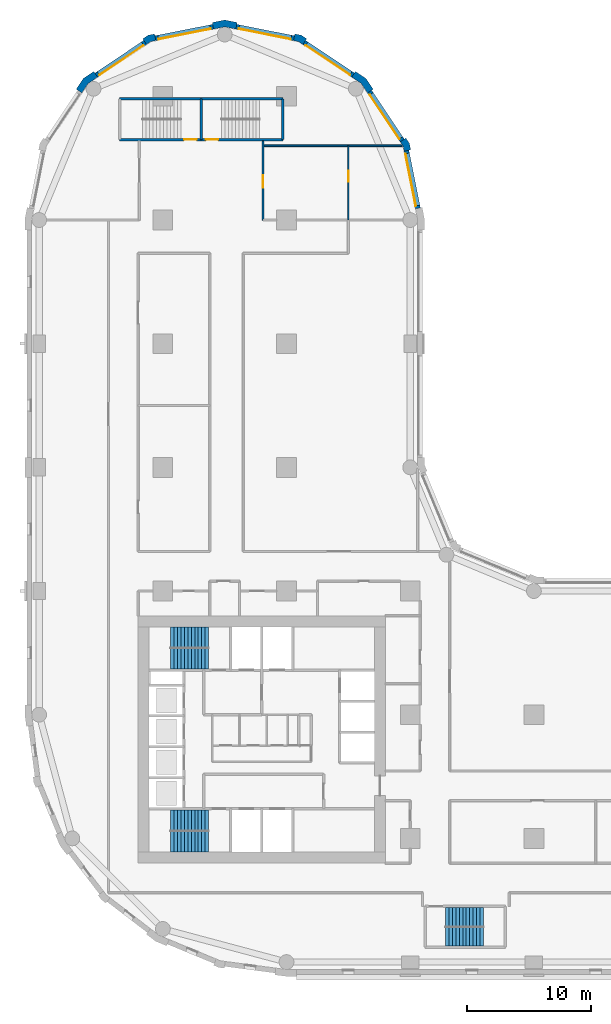
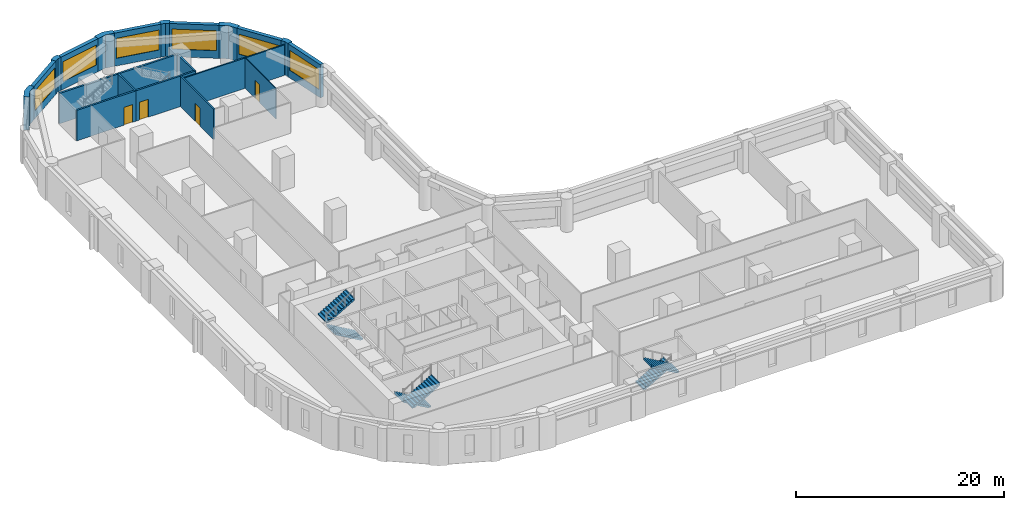
# One storey, part 7 of 10: 21 walls, 6 stair flights, 6 windows, 4 doors, 10 openings, 3 elements without a shape of their own.
"""IFC4 building model written with IfcOpenShell, lengths in metres."""

from ifc_helpers import new_model, si_unit, direction, frame, frame_2d, origin, place, context, subcontext, project, spatial, polyline, rectangle, outline, extrude, material, layer, layer_set, type_object, element, fill, aggregate, save


model = new_model("IFC4")

# Units and contexts
model_context = context("Model", 3, precision=1e-05, world=origin(), true_north=direction((0.0, 1.0)))
body_context = subcontext(model_context, "Body", "Model", "MODEL_VIEW")
ifc_project = project(units=[si_unit("LENGTHUNIT", "METRE"), si_unit("AREAUNIT", "SQUARE_METRE"), si_unit("VOLUMEUNIT", "CUBIC_METRE"), si_unit("PLANEANGLEUNIT", "RADIAN"), si_unit("MASSUNIT", "GRAM", prefix="KILO")], contexts=[model_context])

# Site, building, storey
site_placement = place(None, origin())
site = spatial("IfcSite", under=ifc_project, at=site_placement, CompositionType="ELEMENT")
building_placement = place(site_placement, origin())
building = spatial("IfcBuilding", under=site, at=building_placement, Name="Qaws Garden Tower", CompositionType="ELEMENT")
storey_placement = place(building_placement, frame((0.0, 0.0, 39.300048828125)))
storey = spatial("IfcBuildingStorey", under=building, at=storey_placement, Name="L09", CompositionType="ELEMENT", Elevation=39.300048828125)

# Wall, opening, window
ifc_material_1 = material(Name="Clay facing brick masonry", Category="masonry")
ifc_layer_1 = layer(ifc_material_1, 0.39990234375)
ifc_layer_set_1 = layer_set([ifc_layer_1], Name="Clay facing brick masonry")
wall_type_1 = type_object("IfcWallType", Name="Brick infill wall 400", PredefinedType="SOLIDWALL", material=ifc_layer_set_1)
wall_1_placement = place(storey_placement, frame((30.628662109375, 60.940673828125, 0.0), z_axis=(0.0, 0.0, 1.0), x_axis=(-0.195098533057, 0.98078364709, 0.0)))
wall_1 = element("IfcWall", 1, at=wall_1_placement, inside=storey, type_object=wall_type_1, Name="E-L09-infill-15", PredefinedType="SOLIDWALL", context=body_context, shape_type="SweptSolid", body=[
    extrude(rectangle(XDim=4.752685546875, YDim=0.39990234375, at=frame_2d((2.37646484375, 0.0))), origin(), (0.0, 0.0, 1.0), 3.89990234375),
])
opening_1_placement = place(wall_1_placement, frame((0.226318359375, 0.0, 0.89990234375)))
opening_1 = element("IfcOpeningElement", 2, at=opening_1_placement, cuts=wall_1, Name="Opening W06", PredefinedType="OPENING", context=body_context, shape_type="SweptSolid", body=[
    extrude(rectangle(XDim=4.300048828125, YDim=2.35009765625, at=frame_2d((2.14990234375, 1.175048828125))), frame((0.0, 0.2099609375, 0.0), z_axis=(0.0, -1.0, 0.0), x_axis=(1.0, 0.0, 0.0)), (0.0, 0.0, 1.0), 0.419921875),
])
ifc_material_2 = material(Name="Aluminium framed window, clear glazing", Category="aluminium")
window_type = type_object("IfcWindowType", Name="Ribbon window 4300 x 2350", PartitioningType="DOUBLE_PANEL_VERTICAL", PredefinedType="WINDOW", material=ifc_material_2)
window_1_placement = place(opening_1_placement, origin())
window_1 = element("IfcWindow", 3, at=window_1_placement, inside=storey, type_object=window_type, Name="E-L09-window-15-0", OverallHeight=2.35009765625, OverallWidth=4.300048828125, PartitioningType="SINGLE_PANEL", PredefinedType="WINDOW", context=body_context, shape_type="SweptSolid", body=[
    extrude(rectangle(XDim=4.300048828125, YDim=2.35009765625, at=frame_2d((2.14990234375, 1.175048828125))), frame((0.0, 0.159912109375, 0.0), z_axis=(0.0, -1.0, 0.0), x_axis=(1.0, 0.0, 0.0)), (0.0, 0.0, 1.0), 0.06005859375),
])
fill(opening_1, window_1)

wall_2_placement = place(storey_placement, frame((29.356689453125, 66.43408203125, 0.0), z_axis=(0.0, 0.0, 1.0), x_axis=(-0.555541552266, 0.831488775454, 0.0)))
wall_2 = element("IfcWall", 4, at=wall_2_placement, inside=storey, type_object=wall_type_1, Name="E-L09-infill-16", PredefinedType="SOLIDWALL", context=body_context, shape_type="SweptSolid", body=[
    extrude(rectangle(XDim=4.752685546875, YDim=0.39990234375, at=frame_2d((2.37646484375, 0.0))), origin(), (0.0, 0.0, 1.0), 3.89990234375),
])
opening_2_placement = place(wall_2_placement, frame((0.226318359375, 0.0, 0.89990234375)))
opening_2 = element("IfcOpeningElement", 5, at=opening_2_placement, cuts=wall_2, Name="Opening W06", PredefinedType="OPENING", context=body_context, shape_type="SweptSolid", body=[
    extrude(rectangle(XDim=4.300048828125, YDim=2.35009765625, at=frame_2d((2.14990234375, 1.175048828125))), frame((0.0, 0.2099609375, 0.0), z_axis=(0.0, -1.0, 0.0), x_axis=(1.0, 0.0, 0.0)), (0.0, 0.0, 1.0), 0.419921875),
])
window_2_placement = place(opening_2_placement, origin())
window_2 = element("IfcWindow", 6, at=window_2_placement, inside=storey, type_object=window_type, Name="E-L09-window-16-0", OverallHeight=2.35009765625, OverallWidth=4.300048828125, PartitioningType="SINGLE_PANEL", PredefinedType="WINDOW", context=body_context, shape_type="SweptSolid", body=[
    extrude(rectangle(XDim=4.300048828125, YDim=2.35009765625, at=frame_2d((2.14990234375, 1.175048828125))), frame((0.0, 0.159912109375, 0.0), z_axis=(0.0, -1.0, 0.0), x_axis=(1.0, 0.0, 0.0)), (0.0, 0.0, 1.0), 0.06005859375),
])
fill(opening_2, window_2)

wall_3_placement = place(storey_placement, frame((25.385986328125, 71.71630859375, 0.0), z_axis=(0.0, 0.0, 1.0), x_axis=(-0.831488775454, 0.555541552266, 0.0)))
wall_3 = element("IfcWall", 7, at=wall_3_placement, inside=storey, type_object=wall_type_1, Name="E-L09-infill-17", PredefinedType="SOLIDWALL", context=body_context, shape_type="SweptSolid", body=[
    extrude(rectangle(XDim=4.752685546875, YDim=0.39990234375, at=frame_2d((2.37646484375, 0.0))), origin(), (0.0, 0.0, 1.0), 3.89990234375),
])
opening_3_placement = place(wall_3_placement, frame((0.226318359375, 0.0, 0.89990234375)))
opening_3 = element("IfcOpeningElement", 8, at=opening_3_placement, cuts=wall_3, Name="Opening W06", PredefinedType="OPENING", context=body_context, shape_type="SweptSolid", body=[
    extrude(rectangle(XDim=4.300048828125, YDim=2.35009765625, at=frame_2d((2.14990234375, 1.175048828125))), frame((0.0, 0.2099609375, 0.0), z_axis=(0.0, -1.0, 0.0), x_axis=(1.0, 0.0, 0.0)), (0.0, 0.0, 1.0), 0.419921875),
])
window_3_placement = place(opening_3_placement, origin())
window_3 = element("IfcWindow", 9, at=window_3_placement, inside=storey, type_object=window_type, Name="E-L09-window-17-0", OverallHeight=2.35009765625, OverallWidth=4.300048828125, PartitioningType="SINGLE_PANEL", PredefinedType="WINDOW", context=body_context, shape_type="SweptSolid", body=[
    extrude(rectangle(XDim=4.300048828125, YDim=2.35009765625, at=frame_2d((2.14990234375, 1.175048828125))), frame((0.0, 0.159912109375, 0.0), z_axis=(0.0, -1.0, 0.0), x_axis=(1.0, 0.0, 0.0)), (0.0, 0.0, 1.0), 0.06005859375),
])
fill(opening_3, window_3)

wall_4_placement = place(storey_placement, frame((20.60205078125, 74.701416015625, 0.0), z_axis=(0.0, 0.0, 1.0), x_axis=(-0.98078364709, 0.195098533057, 0.0)))
wall_4 = element("IfcWall", 10, at=wall_4_placement, inside=storey, type_object=wall_type_1, Name="E-L09-infill-18", PredefinedType="SOLIDWALL", context=body_context, shape_type="SweptSolid", body=[
    extrude(rectangle(XDim=4.752685546875, YDim=0.39990234375, at=frame_2d((2.37646484375, 0.0))), origin(), (0.0, 0.0, 1.0), 3.89990234375),
])
opening_4_placement = place(wall_4_placement, frame((0.226318359375, 0.0, 0.89990234375)))
opening_4 = element("IfcOpeningElement", 11, at=opening_4_placement, cuts=wall_4, Name="Opening W06", PredefinedType="OPENING", context=body_context, shape_type="SweptSolid", body=[
    extrude(rectangle(XDim=4.300048828125, YDim=2.35009765625, at=frame_2d((2.14990234375, 1.175048828125))), frame((0.0, 0.2099609375, 0.0), z_axis=(0.0, -1.0, 0.0), x_axis=(1.0, 0.0, 0.0)), (0.0, 0.0, 1.0), 0.419921875),
])
window_4_placement = place(opening_4_placement, origin())
window_4 = element("IfcWindow", 12, at=window_4_placement, inside=storey, type_object=window_type, Name="E-L09-window-18-0", OverallHeight=2.35009765625, OverallWidth=4.300048828125, PartitioningType="SINGLE_PANEL", PredefinedType="WINDOW", context=body_context, shape_type="SweptSolid", body=[
    extrude(rectangle(XDim=4.300048828125, YDim=2.35009765625, at=frame_2d((2.14990234375, 1.175048828125))), frame((0.0, 0.159912109375, 0.0), z_axis=(0.0, -1.0, 0.0), x_axis=(1.0, 0.0, 0.0)), (0.0, 0.0, 1.0), 0.06005859375),
])
fill(opening_4, window_4)

wall_5_placement = place(storey_placement, frame((14.059326171875, 75.628662109375, 0.0), z_axis=(0.0, 0.0, 1.0), x_axis=(-0.98078364709, -0.195098533057, 0.0)))
wall_5 = element("IfcWall", 13, at=wall_5_placement, inside=storey, type_object=wall_type_1, Name="E-L09-infill-19", PredefinedType="SOLIDWALL", context=body_context, shape_type="SweptSolid", body=[
    extrude(rectangle(XDim=4.752685546875, YDim=0.39990234375, at=frame_2d((2.37646484375, 0.0))), origin(), (0.0, 0.0, 1.0), 3.89990234375),
])
opening_5_placement = place(wall_5_placement, frame((0.226318359375, 0.0, 0.89990234375)))
opening_5 = element("IfcOpeningElement", 14, at=opening_5_placement, cuts=wall_5, Name="Opening W06", PredefinedType="OPENING", context=body_context, shape_type="SweptSolid", body=[
    extrude(rectangle(XDim=4.300048828125, YDim=2.35009765625, at=frame_2d((2.14990234375, 1.175048828125))), frame((0.0, 0.2099609375, 0.0), z_axis=(0.0, -1.0, 0.0), x_axis=(1.0, 0.0, 0.0)), (0.0, 0.0, 1.0), 0.419921875),
])
window_5_placement = place(opening_5_placement, origin())
window_5 = element("IfcWindow", 15, at=window_5_placement, inside=storey, type_object=window_type, Name="E-L09-window-19-0", OverallHeight=2.35009765625, OverallWidth=4.300048828125, PartitioningType="SINGLE_PANEL", PredefinedType="WINDOW", context=body_context, shape_type="SweptSolid", body=[
    extrude(rectangle(XDim=4.300048828125, YDim=2.35009765625, at=frame_2d((2.14990234375, 1.175048828125))), frame((0.0, 0.159912109375, 0.0), z_axis=(0.0, -1.0, 0.0), x_axis=(1.0, 0.0, 0.0)), (0.0, 0.0, 1.0), 0.06005859375),
])
fill(opening_5, window_5)

wall_6_placement = place(storey_placement, frame((8.56591796875, 74.356689453125, 0.0), z_axis=(0.0, 0.0, 1.0), x_axis=(-0.831488775454, -0.555541552266, 0.0)))
wall_6 = element("IfcWall", 16, at=wall_6_placement, inside=storey, type_object=wall_type_1, Name="E-L09-infill-20", PredefinedType="SOLIDWALL", context=body_context, shape_type="SweptSolid", body=[
    extrude(rectangle(XDim=4.752685546875, YDim=0.39990234375, at=frame_2d((2.37646484375, 0.0))), origin(), (0.0, 0.0, 1.0), 3.89990234375),
])
opening_6_placement = place(wall_6_placement, frame((0.226318359375, 0.0, 0.89990234375)))
opening_6 = element("IfcOpeningElement", 17, at=opening_6_placement, cuts=wall_6, Name="Opening W06", PredefinedType="OPENING", context=body_context, shape_type="SweptSolid", body=[
    extrude(rectangle(XDim=4.300048828125, YDim=2.35009765625, at=frame_2d((2.14990234375, 1.175048828125))), frame((0.0, 0.2099609375, 0.0), z_axis=(0.0, -1.0, 0.0), x_axis=(1.0, 0.0, 0.0)), (0.0, 0.0, 1.0), 0.419921875),
])
window_6_placement = place(opening_6_placement, origin())
window_6 = element("IfcWindow", 18, at=window_6_placement, inside=storey, type_object=window_type, Name="E-L09-window-20-0", OverallHeight=2.35009765625, OverallWidth=4.300048828125, PartitioningType="SINGLE_PANEL", PredefinedType="WINDOW", context=body_context, shape_type="SweptSolid", body=[
    extrude(rectangle(XDim=4.300048828125, YDim=2.35009765625, at=frame_2d((2.14990234375, 1.175048828125))), frame((0.0, 0.159912109375, 0.0), z_axis=(0.0, -1.0, 0.0), x_axis=(1.0, 0.0, 0.0)), (0.0, 0.0, 1.0), 0.06005859375),
])
fill(opening_6, window_6)

# Walls
ifc_material_3 = material(Name="Clay facing brick masonry", Category="masonry")
ifc_layer_2 = layer(ifc_material_3, 0.550048828125)
ifc_layer_set_2 = layer_set([ifc_layer_2], Name="Clay facing brick masonry")
wall_type_2 = type_object("IfcWallType", Name="Brick kink pier 550 x 600", PredefinedType="SOLIDWALL", material=ifc_layer_set_2)
placement = place(storey_placement, origin())
element("IfcWall", 19, at=placement, inside=storey, type_object=wall_type_2, Name="E-L09-pier-16", PredefinedType="SOLIDWALL", context=body_context, shape_type="SweptSolid", body=[
    extrude(outline(polyline([(29.8974609375, 65.64111328125), (30.044677734375, 65.67041015625), (29.94140625, 66.18896484375), (29.647705078125, 66.628662109375), (29.52294921875, 66.545166015625), (29.1904296875, 66.322998046875), (29.42333984375, 65.974365234375), (29.505126953125, 65.56298828125), (29.8974609375, 65.64111328125)])), origin(), (0.0, 0.0, 1.0), 3.89990234375),
])
element("IfcWall", 20, at=placement, inside=storey, type_object=wall_type_2, Name="E-L09-pier-18", PredefinedType="SOLIDWALL", context=body_context, shape_type="SweptSolid", body=[
    extrude(outline(polyline([(21.545166015625, 74.52294921875), (21.628662109375, 74.647705078125), (21.18896484375, 74.94140625), (20.67041015625, 75.044677734375), (20.64111328125, 74.8974609375), (20.56298828125, 74.505126953125), (20.974365234375, 74.42333984375), (21.322998046875, 74.1904296875), (21.545166015625, 74.52294921875)])), origin(), (0.0, 0.0, 1.0), 3.89990234375),
])
element("IfcWall", 21, at=placement, inside=storey, type_object=wall_type_2, Name="E-L09-pier-20", PredefinedType="SOLIDWALL", context=body_context, shape_type="SweptSolid", body=[
    extrude(outline(polyline([(9.35888671875, 74.8974609375), (9.32958984375, 75.044677734375), (8.81103515625, 74.94140625), (8.371337890625, 74.647705078125), (8.454833984375, 74.52294921875), (8.677001953125, 74.1904296875), (9.025634765625, 74.42333984375), (9.43701171875, 74.505126953125), (9.35888671875, 74.8974609375)])), origin(), (0.0, 0.0, 1.0), 3.89990234375),
])
ifc_material_4 = material(Name="Clay facing brick masonry", Category="masonry")
ifc_layer_3 = layer(ifc_material_4, 0.550048828125)
ifc_layer_set_3 = layer_set([ifc_layer_3], Name="Clay facing brick masonry")
wall_type_3 = type_object("IfcWallType", Name="Brick pier 550 x 1600", PredefinedType="SOLIDWALL", material=ifc_layer_set_3)
element("IfcWall", 22, at=placement, inside=storey, type_object=wall_type_3, Name="E-L09-pier-17", PredefinedType="SOLIDWALL", context=body_context, shape_type="SweptSolid", body=[
    extrude(outline(polyline([(26.882568359375, 70.4970703125), (27.00732421875, 70.580322265625), (26.435791015625, 71.435791015625), (25.580322265625, 72.00732421875), (25.4970703125, 71.882568359375), (25.274658203125, 71.550048828125), (26.0390625, 71.0390625), (26.550048828125, 70.274658203125), (26.882568359375, 70.4970703125)])), origin(), (0.0, 0.0, 1.0), 3.89990234375),
])
element("IfcWall", 23, at=placement, inside=storey, type_object=wall_type_3, Name="E-L09-pier-19", PredefinedType="SOLIDWALL", context=body_context, shape_type="SweptSolid", body=[
    extrude(outline(polyline([(15.979736328125, 75.82470703125), (16.009033203125, 75.971923828125), (15.0, 76.172607421875), (13.990966796875, 75.971923828125), (14.020263671875, 75.82470703125), (14.098388671875, 75.432373046875), (15.0, 75.61181640625), (15.901611328125, 75.432373046875), (15.979736328125, 75.82470703125)])), origin(), (0.0, 0.0, 1.0), 3.89990234375),
])
element("IfcWall", 24, at=placement, inside=storey, type_object=wall_type_3, Name="E-L09-pier-21", PredefinedType="SOLIDWALL", context=body_context, shape_type="SweptSolid", body=[
    extrude(outline(polyline([(4.5029296875, 71.882568359375), (4.419677734375, 72.00732421875), (3.564208984375, 71.435791015625), (2.99267578125, 70.580322265625), (3.117431640625, 70.4970703125), (3.449951171875, 70.274658203125), (3.9609375, 71.0390625), (4.725341796875, 71.550048828125), (4.5029296875, 71.882568359375)])), origin(), (0.0, 0.0, 1.0), 3.89990234375),
])

# Wall, opening, door
ifc_material_5 = material(Name="Concrete C80", Category="concrete")
ifc_layer_4 = layer(ifc_material_5, 0.199951171875)
ifc_layer_set_4 = layer_set([ifc_layer_4], Name="Concrete C80")
wall_type_4 = type_object("IfcWallType", Name="Core shaft wall 200 C80", PredefinedType="SHEAR", material=ifc_layer_set_4)
wall_13_placement = place(storey_placement, frame((6.5, 66.5, 0.0), z_axis=(0.0, 0.0, 1.0), x_axis=(1.0, 0.0, 0.0)))
wall_13 = element("IfcWall", 25, at=wall_13_placement, inside=storey, type_object=wall_type_4, Name="Shaft wall", PredefinedType="SHEAR", context=body_context, shape_type="SweptSolid", body=[
    extrude(rectangle(XDim=6.60009765625, YDim=0.199951171875, at=frame_2d((3.300048828125, 0.0))), origin(), (0.0, 0.0, 1.0), 3.579833984375),
])
opening_7_placement = place(wall_13_placement, frame((5.22509765625, 0.0, 0.0)))
opening_7 = element("IfcOpeningElement", 26, at=opening_7_placement, cuts=wall_13, Name="Opening SD13", PredefinedType="OPENING", context=body_context, shape_type="SweptSolid", body=[
    extrude(rectangle(XDim=1.0, YDim=2.10009765625, at=frame_2d((0.5, 1.050048828125))), frame((0.0, 0.10986328125, 0.0), z_axis=(0.0, -1.0, 0.0), x_axis=(1.0, 0.0, 0.0)), (0.0, 0.0, 1.0), 0.219970703125),
])
ifc_material_6 = material(Name="Steel S235", Category="steel")
door_type_1 = type_object("IfcDoorType", Name="Stair door 1000x2100", OperationType="SINGLE_SWING_RIGHT", PredefinedType="DOOR", material=ifc_material_6)
door_1_placement = place(opening_7_placement, origin())
door_1 = element("IfcDoor", 27, at=door_1_placement, inside=storey, type_object=door_type_1, Name="Stair 6 door", OperationType="SINGLE_SWING_RIGHT", OverallHeight=2.10009765625, OverallWidth=1.0, PredefinedType="DOOR", context=body_context, shape_type="SweptSolid", body=[
    extrude(rectangle(XDim=1.0, YDim=2.10009765625, at=frame_2d((0.5, 1.050048828125))), frame((0.0, 0.02490234375, 0.0), z_axis=(0.0, -1.0, 0.0), x_axis=(1.0, 0.0, 0.0)), (0.0, 0.0, 1.0), 0.050048828125),
])
fill(opening_7, door_1)

wall_14_placement = place(storey_placement, frame((13.10009765625, 66.5, 0.0), z_axis=(0.0, 0.0, 1.0), x_axis=(1.0, 0.0, 0.0)))
wall_14 = element("IfcWall", 28, at=wall_14_placement, inside=storey, type_object=wall_type_4, Name="Shaft wall", PredefinedType="SHEAR", context=body_context, shape_type="SweptSolid", body=[
    extrude(rectangle(XDim=6.599853515625, YDim=0.199951171875, at=frame_2d((3.2998046875, 0.0))), origin(), (0.0, 0.0, 1.0), 3.579833984375),
])
opening_8_placement = place(wall_14_placement, frame((0.375, 0.0, 0.0)))
opening_8 = element("IfcOpeningElement", 29, at=opening_8_placement, cuts=wall_14, Name="Opening SD14", PredefinedType="OPENING", context=body_context, shape_type="SweptSolid", body=[
    extrude(rectangle(XDim=1.0, YDim=2.10009765625, at=frame_2d((0.5, 1.050048828125))), frame((0.0, 0.10986328125, 0.0), z_axis=(0.0, -1.0, 0.0), x_axis=(1.0, 0.0, 0.0)), (0.0, 0.0, 1.0), 0.219970703125),
])
door_2_placement = place(opening_8_placement, origin())
door_2 = element("IfcDoor", 30, at=door_2_placement, inside=storey, type_object=door_type_1, Name="Stair 7 door", OperationType="SINGLE_SWING_LEFT", OverallHeight=2.10009765625, OverallWidth=1.0, PredefinedType="DOOR", context=body_context, shape_type="SweptSolid", body=[
    extrude(rectangle(XDim=1.0, YDim=2.10009765625, at=frame_2d((0.5, 1.050048828125))), frame((0.0, 0.02490234375, 0.0), z_axis=(0.0, -1.0, 0.0), x_axis=(1.0, 0.0, 0.0)), (0.0, 0.0, 1.0), 0.050048828125),
])
fill(opening_8, door_2)

# Walls
wall_15_placement = place(storey_placement, frame((6.5, 69.800048828125, 0.0), z_axis=(0.0, 0.0, 1.0), x_axis=(1.0, 0.0, 0.0)))
element("IfcWall", 31, at=wall_15_placement, inside=storey, type_object=wall_type_4, Name="Shaft wall", PredefinedType="SHEAR", context=body_context, shape_type="SweptSolid", body=[
    extrude(rectangle(XDim=6.60009765625, YDim=0.199951171875, at=frame_2d((3.300048828125, 0.0))), origin(), (0.0, 0.0, 1.0), 3.579833984375),
])
wall_16_placement = place(storey_placement, frame((13.10009765625, 69.800048828125, 0.0), z_axis=(0.0, 0.0, 1.0), x_axis=(1.0, 0.0, 0.0)))
element("IfcWall", 32, at=wall_16_placement, inside=storey, type_object=wall_type_4, Name="Shaft wall", PredefinedType="SHEAR", context=body_context, shape_type="SweptSolid", body=[
    extrude(rectangle(XDim=6.599853515625, YDim=0.199951171875, at=frame_2d((3.2998046875, 0.0))), origin(), (0.0, 0.0, 1.0), 3.579833984375),
])
for number, where, z_axis, x_axis, name in (
    (33, (13.10009765625, 66.5, 0.0), (0.0, 0.0, 1.0), (0.0, 1.0, 0.0), "Shaft wall"),
    (34, (19.699951171875, 66.5, 0.0), (0.0, 0.0, 1.0), (0.0, 1.0, 0.0), "Shaft wall"),
):
    element("IfcWall", number, at=place(storey_placement, frame(where, z_axis=z_axis, x_axis=x_axis)), inside=storey, type_object=wall_type_4, Name=name, PredefinedType="SHEAR", context=body_context, shape_type="SweptSolid", body=[
        extrude(rectangle(XDim=3.300048828125, YDim=0.199951171875, at=frame_2d((1.64990234375, 0.0))), origin(), (0.0, 0.0, 1.0), 3.579833984375),
    ])

# Wall, opening, door
ifc_material_7 = material(Name="Gypsum board partition")
ifc_layer_5 = layer(ifc_material_7, 0.10009765625)
ifc_layer_set_5 = layer_set([ifc_layer_5], Name="Gypsum board partition")
wall_type_5 = type_object("IfcWallType", Name="PARTITION 100", PredefinedType="PARTITIONING", material=ifc_layer_set_5)
wall_17_placement = place(storey_placement, frame((25.0, 60.0, 0.0), z_axis=(0.0, 0.0, 1.0), x_axis=(0.0, 1.0, 0.0)))
wall_17 = element("IfcWall", 35, at=wall_17_placement, inside=storey, type_object=wall_type_5, Name="O-L09-wall-001", PredefinedType="PARTITIONING", context=body_context, shape_type="SweptSolid", body=[
    extrude(rectangle(XDim=6.0, YDim=0.10009765625, at=frame_2d((3.0, 0.0))), origin(), (0.0, 0.0, 1.0), 3.579833984375),
])
opening_9_placement = place(wall_17_placement, frame((3.10009765625, 0.0, 0.0)))
opening_9 = element("IfcOpeningElement", 36, at=opening_9_placement, cuts=wall_17, Name="Opening A320", PredefinedType="OPENING", context=body_context, shape_type="SweptSolid", body=[
    extrude(rectangle(XDim=0.89990234375, YDim=2.10009765625, at=frame_2d((0.449951171875, 1.050048828125))), frame((0.0, 0.06005859375, 0.0), z_axis=(0.0, -1.0, 0.0), x_axis=(1.0, 0.0, 0.0)), (0.0, 0.0, 1.0), 0.1201171875),
])
ifc_material_8 = material(Name="Timber door leaf", Category="wood")
door_type_2 = type_object("IfcDoorType", Name="OFFICE DOOR 900 X 2100", OperationType="SINGLE_SWING_LEFT", PredefinedType="DOOR", material=ifc_material_8)
door_3_placement = place(opening_9_placement, frame((0.89990234375, 0.0, 0.0), z_axis=(0.0, 0.0, 1.0), x_axis=(-1.0, 0.0, 0.0)))
door_3 = element("IfcDoor", 37, at=door_3_placement, inside=storey, type_object=door_type_2, Name="O-L09-door-020", OperationType="SINGLE_SWING_RIGHT", OverallHeight=2.10009765625, OverallWidth=0.89990234375, PredefinedType="DOOR", context=body_context, shape_type="SweptSolid", body=[
    extrude(rectangle(XDim=0.89990234375, YDim=2.10009765625, at=frame_2d((0.449951171875, 1.050048828125))), frame((0.0, 0.02490234375, 0.0), z_axis=(0.0, -1.0, 0.0), x_axis=(1.0, 0.0, 0.0)), (0.0, 0.0, 1.0), 0.050048828125),
])
fill(opening_9, door_3)

ifc_material_9 = material(Name="Gypsum board partition")
ifc_layer_6 = layer(ifc_material_9, 0.14990234375)
ifc_layer_set_6 = layer_set([ifc_layer_6], Name="Gypsum board partition")
wall_type_6 = type_object("IfcWallType", Name="PARTITION 150 EI 60", PredefinedType="PARTITIONING", material=ifc_layer_set_6)
wall_18_placement = place(storey_placement, frame((18.10009765625, 60.0, 0.0), z_axis=(0.0, 0.0, 1.0), x_axis=(0.0, 1.0, 0.0)))
wall_18 = element("IfcWall", 38, at=wall_18_placement, inside=storey, type_object=wall_type_6, Name="O-L09-wall-010", PredefinedType="PARTITIONING", context=body_context, shape_type="SweptSolid", body=[
    extrude(rectangle(XDim=6.39990234375, YDim=0.14990234375, at=frame_2d((3.199951171875, 0.0))), origin(), (0.0, 0.0, 1.0), 3.579833984375),
])
opening_10_placement = place(wall_18_placement, frame((2.60009765625, 0.0, 0.0)))
opening_10 = element("IfcOpeningElement", 39, at=opening_10_placement, cuts=wall_18, Name="Opening A310", PredefinedType="OPENING", context=body_context, shape_type="SweptSolid", body=[
    extrude(rectangle(XDim=1.0, YDim=2.10009765625, at=frame_2d((0.5, 1.050048828125))), frame((0.0, 0.0849609375, 0.0), z_axis=(0.0, -1.0, 0.0), x_axis=(1.0, 0.0, 0.0)), (0.0, 0.0, 1.0), 0.169921875),
])
ifc_material_10 = material(Name="Timber door leaf", Category="wood")
door_type_3 = type_object("IfcDoorType", Name="TENANCY ENTRANCE DOOR 1000 X 2100", OperationType="SINGLE_SWING_LEFT", PredefinedType="DOOR", material=ifc_material_10)
door_4_placement = place(opening_10_placement, frame((1.0, 0.0, 0.0), z_axis=(0.0, 0.0, 1.0), x_axis=(-1.0, 0.0, 0.0)))
door_4 = element("IfcDoor", 40, at=door_4_placement, inside=storey, type_object=door_type_3, Name="O-L09-door-010", OperationType="SINGLE_SWING_RIGHT", OverallHeight=2.10009765625, OverallWidth=1.0, PredefinedType="DOOR", context=body_context, shape_type="SweptSolid", body=[
    extrude(rectangle(XDim=1.0, YDim=2.10009765625, at=frame_2d((0.5, 1.050048828125))), frame((0.0, 0.02490234375, 0.0), z_axis=(0.0, -1.0, 0.0), x_axis=(1.0, 0.0, 0.0)), (0.0, 0.0, 1.0), 0.050048828125),
])
fill(opening_10, door_4)

# Wall
wall_19_placement = place(storey_placement, frame((18.10009765625, 66.0, 0.0), z_axis=(0.0, 0.0, 1.0), x_axis=(1.0, 0.0, 0.0)))
element("IfcWall", 41, at=wall_19_placement, inside=storey, type_object=wall_type_6, Name="O-L09-wall-055", PredefinedType="PARTITIONING", context=body_context, shape_type="SweptSolid", body=[
    extrude(rectangle(XDim=11.256103515625, YDim=0.14990234375, at=frame_2d((5.6279296875, 0.0))), origin(), (0.0, 0.0, 1.0), 3.579833984375),
])

# Stair, stair flights
ifc_material_11 = material(Name="Concrete C40", Category="concrete")
stair_type_1 = type_object("IfcStairType", Name="Exit stair 1350", PredefinedType="HALF_TURN_STAIR", material=ifc_material_11)
stair_1 = element("IfcStair", 42, at=placement, inside=storey, type_object=stair_type_1, Name="Stair 5", PredefinedType="HALF_TURN_STAIR")
ifc_material_12 = material(Name="Concrete C40", Category="concrete")
stair_flight_type_1 = type_object("IfcStairFlightType", Name="Stair flight 1350", PredefinedType="STRAIGHT", material=ifc_material_12)
stair_flight_1_placement = place(storey_placement, frame((32.85009765625, 3.625, 0.0), z_axis=(0.0, 0.0, 1.0), x_axis=(1.0, 0.0, 0.0)))
stair_flight_1 = element("IfcStairFlight", 43, at=stair_flight_1_placement, type_object=stair_flight_type_1, Name="ST5 flight 1", NumberOfRisers=12, NumberOfTreads=11, PredefinedType="STRAIGHT", RiserHeight=0.1625, TreadLength=0.28, context=body_context, shape_type="SweptSolid", body=[
    extrude(outline(polyline([(-0.0029296875, 0.0), (-0.0029296875, 0.16259765625), (0.0, 0.16259765625), (0.280029296875, 0.16259765625), (0.280029296875, 0.324951171875), (0.56005859375, 0.324951171875), (0.56005859375, 0.487548828125), (0.840087890625, 0.487548828125), (0.840087890625, 0.64990234375), (1.1201171875, 0.64990234375), (1.1201171875, 0.8125), (1.39990234375, 0.8125), (1.39990234375, 0.97509765625), (1.679931640625, 0.97509765625), (1.679931640625, 1.137451171875), (1.9599609375, 1.137451171875), (1.9599609375, 1.300048828125), (2.239990234375, 1.300048828125), (2.239990234375, 1.46240234375), (2.52001953125, 1.46240234375), (2.52001953125, 1.625), (2.800048828125, 1.625), (2.800048828125, 1.78759765625), (3.080078125, 1.78759765625), (3.080078125, 1.949951171875), (3.0830078125, 1.949951171875), (3.0830078125, 1.6142578125), (3.080078125, 1.6142578125), (0.298583984375, 0.0), (-0.0029296875, 0.0)])), frame((0.0, 0.77490234375, 0.0), z_axis=(0.0, -1.0, 0.0), x_axis=(1.0, 0.0, 0.0)), (0.0, 0.0, 1.0), 1.550048828125),
])
stair_flight_2_placement = place(storey_placement, frame((35.929931640625, 2.074951171875, 1.949951171875), z_axis=(0.0, 0.0, 1.0), x_axis=(-1.0, 0.0, 0.0)))
stair_flight_2 = element("IfcStairFlight", 44, at=stair_flight_2_placement, type_object=stair_flight_type_1, Name="ST5 flight 2", NumberOfRisers=12, NumberOfTreads=11, PredefinedType="STRAIGHT", RiserHeight=0.1625, TreadLength=0.28, context=body_context, shape_type="SweptSolid", body=[
    extrude(outline(polyline([(-0.0029296875, 0.0), (-0.0029296875, 0.16259765625), (0.0, 0.16259765625), (0.280029296875, 0.16259765625), (0.280029296875, 0.324951171875), (0.56005859375, 0.324951171875), (0.56005859375, 0.487548828125), (0.840087890625, 0.487548828125), (0.840087890625, 0.64990234375), (1.1201171875, 0.64990234375), (1.1201171875, 0.8125), (1.39990234375, 0.8125), (1.39990234375, 0.97509765625), (1.679931640625, 0.97509765625), (1.679931640625, 1.137451171875), (1.9599609375, 1.137451171875), (1.9599609375, 1.300048828125), (2.239990234375, 1.300048828125), (2.239990234375, 1.46240234375), (2.52001953125, 1.46240234375), (2.52001953125, 1.625), (2.800048828125, 1.625), (2.800048828125, 1.78759765625), (3.080078125, 1.78759765625), (3.080078125, 1.949951171875), (3.0830078125, 1.949951171875), (3.0830078125, 1.6142578125), (3.080078125, 1.6142578125), (0.298583984375, 0.0), (-0.0029296875, 0.0)])), frame((0.0, 0.77490234375, 0.0), z_axis=(0.0, -1.0, 0.0), x_axis=(1.0, 0.0, 0.0)), (0.0, 0.0, 1.0), 1.550048828125),
])
aggregate(stair_1, [stair_flight_1, stair_flight_2])

ifc_material_13 = material(Name="Concrete C40", Category="concrete")
stair_type_2 = type_object("IfcStairType", Name="Exit stair 1500", PredefinedType="HALF_TURN_STAIR", material=ifc_material_13)
stair_2 = element("IfcStair", 45, at=placement, inside=storey, type_object=stair_type_2, Name="Stair 1", PredefinedType="HALF_TURN_STAIR")
ifc_material_14 = material(Name="Concrete C40", Category="concrete")
stair_flight_type_2 = type_object("IfcStairFlightType", Name="Stair flight 1500", PredefinedType="STRAIGHT", material=ifc_material_14)
stair_flight_3_placement = place(storey_placement, frame((13.699951171875, 11.449951171875, 0.0), z_axis=(0.0, 0.0, 1.0), x_axis=(-1.0, 0.0, 0.0)))
stair_flight_3 = element("IfcStairFlight", 46, at=stair_flight_3_placement, type_object=stair_flight_type_2, Name="ST1 flight 1", NumberOfRisers=12, NumberOfTreads=11, PredefinedType="STRAIGHT", RiserHeight=0.1625, TreadLength=0.28, context=body_context, shape_type="SweptSolid", body=[
    extrude(outline(polyline([(-0.0029296875, 0.0), (-0.0029296875, 0.16259765625), (0.0, 0.16259765625), (0.280029296875, 0.16259765625), (0.280029296875, 0.324951171875), (0.56005859375, 0.324951171875), (0.56005859375, 0.487548828125), (0.840087890625, 0.487548828125), (0.840087890625, 0.64990234375), (1.1201171875, 0.64990234375), (1.1201171875, 0.8125), (1.39990234375, 0.8125), (1.39990234375, 0.97509765625), (1.679931640625, 0.97509765625), (1.679931640625, 1.137451171875), (1.9599609375, 1.137451171875), (1.9599609375, 1.300048828125), (2.239990234375, 1.300048828125), (2.239990234375, 1.46240234375), (2.52001953125, 1.46240234375), (2.52001953125, 1.625), (2.800048828125, 1.625), (2.800048828125, 1.78759765625), (3.080078125, 1.78759765625), (3.080078125, 1.949951171875), (3.0830078125, 1.949951171875), (3.0830078125, 1.6142578125), (3.080078125, 1.6142578125), (0.298583984375, 0.0), (-0.0029296875, 0.0)])), frame((0.0, 0.85009765625, 0.0), z_axis=(0.0, -1.0, 0.0), x_axis=(1.0, 0.0, 0.0)), (0.0, 0.0, 1.0), 1.699951171875),
])
stair_flight_4_placement = place(storey_placement, frame((10.6201171875, 9.75, 1.949951171875), z_axis=(0.0, 0.0, 1.0), x_axis=(1.0, 0.0, 0.0)))
stair_flight_4 = element("IfcStairFlight", 47, at=stair_flight_4_placement, type_object=stair_flight_type_2, Name="ST1 flight 2", NumberOfRisers=12, NumberOfTreads=11, PredefinedType="STRAIGHT", RiserHeight=0.1625, TreadLength=0.28, context=body_context, shape_type="SweptSolid", body=[
    extrude(outline(polyline([(-0.0029296875, 0.0), (-0.0029296875, 0.16259765625), (0.0, 0.16259765625), (0.280029296875, 0.16259765625), (0.280029296875, 0.324951171875), (0.56005859375, 0.324951171875), (0.56005859375, 0.487548828125), (0.840087890625, 0.487548828125), (0.840087890625, 0.64990234375), (1.1201171875, 0.64990234375), (1.1201171875, 0.8125), (1.39990234375, 0.8125), (1.39990234375, 0.97509765625), (1.679931640625, 0.97509765625), (1.679931640625, 1.137451171875), (1.9599609375, 1.137451171875), (1.9599609375, 1.300048828125), (2.239990234375, 1.300048828125), (2.239990234375, 1.46240234375), (2.52001953125, 1.46240234375), (2.52001953125, 1.625), (2.800048828125, 1.625), (2.800048828125, 1.78759765625), (3.080078125, 1.78759765625), (3.080078125, 1.949951171875), (3.0830078125, 1.949951171875), (3.0830078125, 1.6142578125), (3.080078125, 1.6142578125), (0.298583984375, 0.0), (-0.0029296875, 0.0)])), frame((0.0, 0.85009765625, 0.0), z_axis=(0.0, -1.0, 0.0), x_axis=(1.0, 0.0, 0.0)), (0.0, 0.0, 1.0), 1.699951171875),
])
aggregate(stair_2, [stair_flight_3, stair_flight_4])

stair_3 = element("IfcStair", 48, at=placement, inside=storey, type_object=stair_type_2, Name="Stair 4", PredefinedType="HALF_TURN_STAIR")
stair_flight_5_placement = place(storey_placement, frame((13.699951171875, 24.550048828125, 0.0), z_axis=(0.0, 0.0, 1.0), x_axis=(-1.0, 0.0, 0.0)))
stair_flight_5 = element("IfcStairFlight", 49, at=stair_flight_5_placement, type_object=stair_flight_type_2, Name="ST4 flight 1", NumberOfRisers=12, NumberOfTreads=11, PredefinedType="STRAIGHT", RiserHeight=0.1625, TreadLength=0.28, context=body_context, shape_type="SweptSolid", body=[
    extrude(outline(polyline([(-0.0029296875, 0.0), (-0.0029296875, 0.16259765625), (0.0, 0.16259765625), (0.280029296875, 0.16259765625), (0.280029296875, 0.324951171875), (0.56005859375, 0.324951171875), (0.56005859375, 0.487548828125), (0.840087890625, 0.487548828125), (0.840087890625, 0.64990234375), (1.1201171875, 0.64990234375), (1.1201171875, 0.8125), (1.39990234375, 0.8125), (1.39990234375, 0.97509765625), (1.679931640625, 0.97509765625), (1.679931640625, 1.137451171875), (1.9599609375, 1.137451171875), (1.9599609375, 1.300048828125), (2.239990234375, 1.300048828125), (2.239990234375, 1.46240234375), (2.52001953125, 1.46240234375), (2.52001953125, 1.625), (2.800048828125, 1.625), (2.800048828125, 1.78759765625), (3.080078125, 1.78759765625), (3.080078125, 1.949951171875), (3.0830078125, 1.949951171875), (3.0830078125, 1.6142578125), (3.080078125, 1.6142578125), (0.298583984375, 0.0), (-0.0029296875, 0.0)])), frame((0.0, 0.844970703125, 0.0), z_axis=(0.0, -1.0, 0.0), x_axis=(1.0, 0.0, 0.0)), (0.0, 0.0, 1.0), 1.68994140625),
])
stair_flight_6_placement = place(storey_placement, frame((10.6201171875, 26.25, 1.949951171875), z_axis=(0.0, 0.0, 1.0), x_axis=(1.0, 0.0, 0.0)))
stair_flight_6 = element("IfcStairFlight", 50, at=stair_flight_6_placement, type_object=stair_flight_type_2, Name="ST4 flight 2", NumberOfRisers=12, NumberOfTreads=11, PredefinedType="STRAIGHT", RiserHeight=0.1625, TreadLength=0.28, context=body_context, shape_type="SweptSolid", body=[
    extrude(outline(polyline([(-0.0029296875, 0.0), (-0.0029296875, 0.16259765625), (0.0, 0.16259765625), (0.280029296875, 0.16259765625), (0.280029296875, 0.324951171875), (0.56005859375, 0.324951171875), (0.56005859375, 0.487548828125), (0.840087890625, 0.487548828125), (0.840087890625, 0.64990234375), (1.1201171875, 0.64990234375), (1.1201171875, 0.8125), (1.39990234375, 0.8125), (1.39990234375, 0.97509765625), (1.679931640625, 0.97509765625), (1.679931640625, 1.137451171875), (1.9599609375, 1.137451171875), (1.9599609375, 1.300048828125), (2.239990234375, 1.300048828125), (2.239990234375, 1.46240234375), (2.52001953125, 1.46240234375), (2.52001953125, 1.625), (2.800048828125, 1.625), (2.800048828125, 1.78759765625), (3.080078125, 1.78759765625), (3.080078125, 1.949951171875), (3.0830078125, 1.949951171875), (3.0830078125, 1.6142578125), (3.080078125, 1.6142578125), (0.298583984375, 0.0), (-0.0029296875, 0.0)])), frame((0.0, 0.844970703125, 0.0), z_axis=(0.0, -1.0, 0.0), x_axis=(1.0, 0.0, 0.0)), (0.0, 0.0, 1.0), 1.68994140625),
])
aggregate(stair_3, [stair_flight_5, stair_flight_6])

save(model, "model.ifc")
